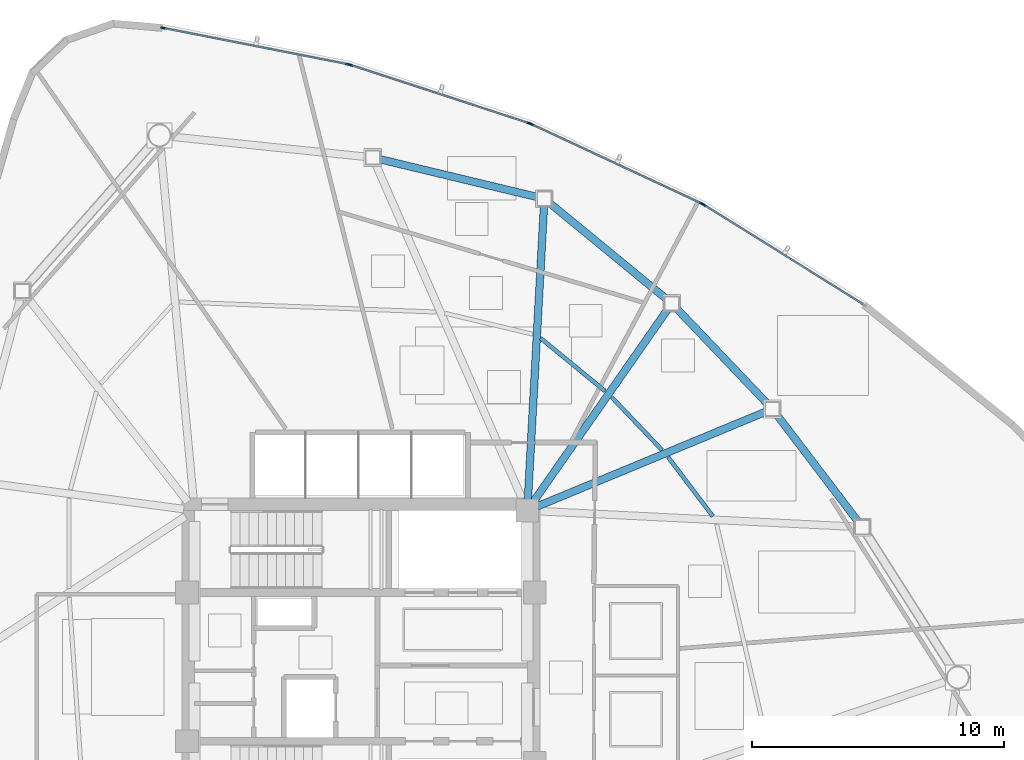
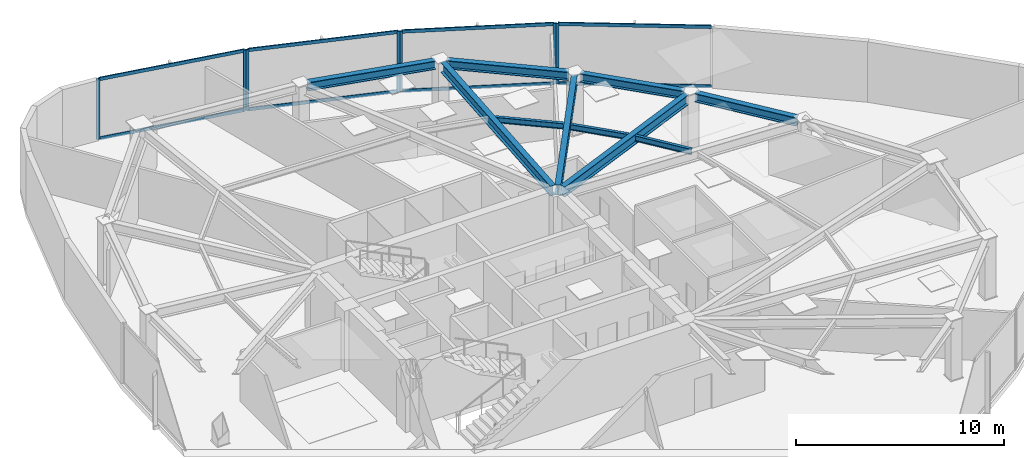
# One storey, part 8 of 17: 15 members, 10 beams, 4 elements without a shape of their own.
"""IFC4 building model written with IfcOpenShell, lengths in metres."""

from ifc_helpers import new_model, si_unit, direction, frame, origin, origin_2d, place, context, subcontext, project, spatial, hollow_rectangle, i_section, extrude, source, transform, mapped, material, layer, layer_set, material_profile, profile_set, type_object, type_shapes, element, aggregate, save


model = new_model("IFC4")

# Units and contexts
model_context = context("Model", 3, precision=1e-05, world=origin(), true_north=direction((0.0, 1.0)))
body_context = subcontext(model_context, "Body", "Model", "MODEL_VIEW")
ifc_project = project(units=[si_unit("LENGTHUNIT", "METRE"), si_unit("AREAUNIT", "SQUARE_METRE"), si_unit("VOLUMEUNIT", "CUBIC_METRE"), si_unit("PLANEANGLEUNIT", "RADIAN"), si_unit("MASSUNIT", "GRAM", prefix="KILO")], contexts=[model_context])

# Site, building, storey
site_placement = place(None, origin())
site = spatial("IfcSite", under=ifc_project, at=site_placement, CompositionType="ELEMENT")
building_placement = place(site_placement, origin())
building = spatial("IfcBuilding", under=site, at=building_placement, Name="Tavelor Broadcast Tower", CompositionType="ELEMENT")
storey_placement = place(building_placement, frame((0.0, 0.0, 165.64990234375)))
storey = spatial("IfcBuildingStorey", under=building, at=storey_placement, Name="L39", CompositionType="ELEMENT", Elevation=165.64990234375)

# Beams
ifc_material_1 = material(Name="Steel S355", Category="steel")
ifc_material_profile_1 = material_profile(ifc_material_1, i_section(OverallWidth=0.159912109375, OverallDepth=0.330078125, WebThickness=0.007568359375, FlangeThickness=0.011474609375, at=origin_2d()), Name="IPE 330")
ifc_profile_set_1 = profile_set([ifc_material_profile_1], Name="Steel S355")
beam_type_1 = type_object("IfcBeamType", Name="Composite Floor Joist T4 IPE 330", PredefinedType="JOIST", material=ifc_profile_set_1)
beam_1_placement = place(storey_placement, frame((63.959716796875, 50.9755859375, 3.385009765625), z_axis=(-0.604116162247, 0.796896268351, 0.0), x_axis=(-0.796896268351, -0.604116162247, 0.0)))
element("IfcBeam", 1, at=beam_1_placement, inside=storey, type_object=beam_type_1, Name="L39 Secondary Composite Floor Joist 14", PredefinedType="JOIST", context=body_context, shape_type="SweptSolid", body=[
    extrude(i_section(OverallWidth=0.159912109375, OverallDepth=0.330078125, WebThickness=0.007568359375, FlangeThickness=0.011474609375, at=origin_2d()), origin(), (0.0, 0.0, 1.0), 2.94580078125),
])
beam_2_placement = place(storey_placement, frame((61.946044921875, 53.59814453125, 3.385009765625), z_axis=(-0.689642531817, 0.724149969487, 0.0), x_axis=(-0.724149969487, -0.689642531817, 0.0)))
element("IfcBeam", 2, at=beam_2_placement, inside=storey, type_object=beam_type_1, Name="L39 Secondary Composite Floor Joist 15", PredefinedType="JOIST", context=body_context, shape_type="SweptSolid", body=[
    extrude(i_section(OverallWidth=0.159912109375, OverallDepth=0.330078125, WebThickness=0.007568359375, FlangeThickness=0.011474609375, at=origin_2d()), origin(), (0.0, 0.0, 1.0), 2.893798828125),
])
beam_3_placement = place(storey_placement, frame((59.685791015625, 55.939453125, 3.385009765625), z_axis=(-0.773655391446, 0.633606609251, 0.0), x_axis=(-0.633606609251, -0.773655391446, 0.0)))
element("IfcBeam", 3, at=beam_3_placement, inside=storey, type_object=beam_type_1, Name="L39 Secondary Composite Floor Joist 16", PredefinedType="JOIST", context=body_context, shape_type="SweptSolid", body=[
    extrude(i_section(OverallWidth=0.159912109375, OverallDepth=0.330078125, WebThickness=0.007568359375, FlangeThickness=0.011474609375, at=origin_2d()), origin(), (0.0, 0.0, 1.0), 3.315673828125),
])
ifc_material_profile_2 = material_profile(ifc_material_1, i_section(OverallWidth=0.300048828125, OverallDepth=0.5, WebThickness=0.014404296875, FlangeThickness=0.028076171875, at=origin_2d()), Name="HEB 500")
ifc_profile_set_2 = profile_set([ifc_material_profile_2], Name="Steel S355")
beam_type_2 = type_object("IfcBeamType", Name="Perimeter Spandrel Beam T4 HEB 500", PredefinedType="SPANDREL", material=ifc_profile_set_2)
beam_4_placement = place(storey_placement, frame((69.711669921875, 50.7734375, 3.300048828125), z_axis=(-0.605502841959, 0.795843143075, 0.0), x_axis=(-0.795843143075, -0.605502841959, 0.0)))
element("IfcBeam", 4, at=beam_4_placement, inside=storey, type_object=beam_type_2, Name="L39 Framed-Tube Ring Spandrel 14", PredefinedType="SPANDREL", context=body_context, shape_type="SweptSolid", body=[
    extrude(i_section(OverallWidth=0.300048828125, OverallDepth=0.5, WebThickness=0.014404296875, FlangeThickness=0.028076171875, at=origin_2d()), origin(), (0.0, 0.0, 1.0), 5.310302734375),
])
beam_5_placement = place(storey_placement, frame((66.123291015625, 55.437255859375, 3.300048828125), z_axis=(-0.689936010055, 0.723870362723, 0.0), x_axis=(-0.723870362723, -0.689936010055, 0.0)))
element("IfcBeam", 5, at=beam_5_placement, inside=storey, type_object=beam_type_2, Name="L39 Framed-Tube Ring Spandrel 15", PredefinedType="SPANDREL", context=body_context, shape_type="SweptSolid", body=[
    extrude(i_section(OverallWidth=0.300048828125, OverallDepth=0.5, WebThickness=0.014404296875, FlangeThickness=0.028076171875, at=origin_2d()), origin(), (0.0, 0.0, 1.0), 5.208740234375),
])
beam_6_placement = place(storey_placement, frame((62.1083984375, 59.59912109375, 3.300048828125), z_axis=(-0.772717651191, 0.634749896839, 0.0), x_axis=(-0.634749896839, -0.772717651191, 0.0)))
element("IfcBeam", 6, at=beam_6_placement, inside=storey, type_object=beam_type_2, Name="L39 Framed-Tube Ring Spandrel 16", PredefinedType="SPANDREL", context=body_context, shape_type="SweptSolid", body=[
    extrude(i_section(OverallWidth=0.300048828125, OverallDepth=0.5, WebThickness=0.014404296875, FlangeThickness=0.028076171875, at=origin_2d()), origin(), (0.0, 0.0, 1.0), 5.965087890625),
])
beam_7_placement = place(storey_placement, frame((56.99658203125, 63.635498046875, 3.300048828125), z_axis=(-0.972354853411, 0.233508113452, 0.0), x_axis=(-0.233508113452, -0.972354853411, 0.0)))
element("IfcBeam", 7, at=beam_7_placement, inside=storey, type_object=beam_type_2, Name="L39 Framed-Tube Ring Spandrel 17", PredefinedType="SPANDREL", context=body_context, shape_type="SweptSolid", body=[
    extrude(i_section(OverallWidth=0.300048828125, OverallDepth=0.5, WebThickness=0.014404296875, FlangeThickness=0.028076171875, at=origin_2d()), origin(), (0.0, 0.0, 1.0), 6.421630859375),
])
ifc_material_profile_3 = material_profile(ifc_material_1, i_section(OverallWidth=0.300048828125, OverallDepth=0.590087890625, WebThickness=0.012939453125, FlangeThickness=0.02490234375, at=origin_2d()), Name="HEA 600")
ifc_profile_set_3 = profile_set([ifc_material_profile_3], Name="Steel S355")
beam_type_3 = type_object("IfcBeamType", Name="Radial Floor Girder T4 HEA 600", PredefinedType="BEAM", material=ifc_profile_set_3)
beam_8_placement = place(storey_placement, frame((56.9990234375, 51.365478515625, 3.255126953125), z_axis=(0.923827405628, 0.38280925356, 0.0), x_axis=(-0.38280925356, 0.923827405628, 0.0)))
element("IfcBeam", 8, at=beam_8_placement, inside=storey, type_object=beam_type_3, Name="L39 Radial Primary Floor Girder 15", PredefinedType="BEAM", context=body_context, shape_type="SweptSolid", body=[
    extrude(i_section(OverallWidth=0.300048828125, OverallDepth=0.590087890625, WebThickness=0.012939453125, FlangeThickness=0.02490234375, at=origin_2d()), origin(), (0.0, 0.0, 1.0), 9.8037109375),
])
beam_9_placement = place(storey_placement, frame((56.84716796875, 51.55419921875, 3.255126953125), z_axis=(0.572078083908, 0.820199162346, 0.0), x_axis=(-0.820199162346, 0.572078083908, 0.0)))
element("IfcBeam", 9, at=beam_9_placement, inside=storey, type_object=beam_type_3, Name="L39 Radial Primary Floor Girder 16", PredefinedType="BEAM", context=body_context, shape_type="SweptSolid", body=[
    extrude(i_section(OverallWidth=0.300048828125, OverallDepth=0.590087890625, WebThickness=0.012939453125, FlangeThickness=0.02490234375, at=origin_2d()), origin(), (0.0, 0.0, 1.0), 9.29736328125),
])
beam_10_placement = place(storey_placement, frame((56.62353515625, 51.63134765625, 3.255126953125), z_axis=(0.054637852805, 0.998506236856, 0.0), x_axis=(-0.998506236856, 0.054637852805, 0.0)))
element("IfcBeam", 10, at=beam_10_placement, inside=storey, type_object=beam_type_3, Name="L39 Radial Primary Floor Girder 17", PredefinedType="BEAM", context=body_context, shape_type="SweptSolid", body=[
    extrude(i_section(OverallWidth=0.300048828125, OverallDepth=0.590087890625, WebThickness=0.012939453125, FlangeThickness=0.02490234375, at=origin_2d()), origin(), (0.0, 0.0, 1.0), 11.666748046875),
])

# Curtain wall, member
ifc_material_2 = material(Name="Architectural Anodized Aluminium", Category="aluminium")
ifc_layer = layer(ifc_material_2, 0.18994140625)
ifc_layer_set = layer_set([ifc_layer], Name="Architectural Anodized Aluminium")
curtain_wall_type = type_object("IfcCurtainWallType", Name="Tower Mid-Zone Acoustic Curtain Wall CW03", PredefinedType="NOTDEFINED", material=ifc_layer_set)
curtain_wall_1_placement = place(storey_placement, origin())
curtain_wall_1 = element("IfcCurtainWall", 11, at=curtain_wall_1_placement, inside=storey, type_object=curtain_wall_type, Name="L39 Curtain Wall CW03 Run 417", PredefinedType="NOTDEFINED")
ifc_material_profile_4 = material_profile(ifc_material_2, hollow_rectangle(XDim=0.068115234375, YDim=0.18994140625, WallThickness=0.02197265625, at=origin_2d()), Name="RHS 68x190x22")
ifc_profile_set_4 = profile_set([ifc_material_profile_4], Name="Architectural Anodized Aluminium")
member_type_1 = type_object("IfcMemberType", Name="CW03 Extruded Aluminium Mullion 68x190", PredefinedType="MULLION", material=ifc_profile_set_4)
shared_shape_1 = source(origin(), body_context, "Body", "SweptSolid", [
    extrude(hollow_rectangle(XDim=0.068115234375, YDim=0.18994140625, WallThickness=0.02197265625, at=origin_2d()), origin(), (0.0, 0.0, 1.0), 3.550048828125),
])
type_shapes(member_type_1, [shared_shape_1])
member_1_placement = place(storey_placement, frame((63.6044921875, 63.323486328125, 0.0), z_axis=(0.0, 0.0, 1.0), x_axis=(-0.529551832502, -0.848277582336, 0.0)))
member_1 = element("IfcMember", 12, at=member_1_placement, type_object=member_type_1, Name="CW03 mullion 2", PredefinedType="MULLION", context=body_context, shape_type="MappedRepresentation", body=[
    mapped(shared_shape_1, transform((0.0, 0.0, 0.0), scale=1.0)),
])

# Curtain wall, members
curtain_wall_2_placement = place(storey_placement, origin())
curtain_wall_2 = element("IfcCurtainWall", 13, at=curtain_wall_2_placement, inside=storey, type_object=curtain_wall_type, Name="L39 Curtain Wall CW03 Run 418", PredefinedType="NOTDEFINED")
member_2_placement = place(storey_placement, frame((63.5185546875, 63.370361328125, 0.0), z_axis=(0.0, 0.0, 1.0), x_axis=(-0.42301567944, -0.906122362017, 0.0)))
member_2 = element("IfcMember", 14, at=member_2_placement, type_object=member_type_1, Name="CW03 mullion 1", PredefinedType="MULLION", context=body_context, shape_type="MappedRepresentation", body=[
    mapped(shared_shape_1, transform((0.0, 0.0, 0.0), scale=1.0)),
])
member_3_placement = place(storey_placement, frame((56.761474609375, 66.52490234375, 0.0), z_axis=(0.0, 0.0, 1.0), x_axis=(-0.42301567944, -0.906122362017, 0.0)))
member_3 = element("IfcMember", 15, at=member_3_placement, type_object=member_type_1, Name="CW03 mullion 2", PredefinedType="MULLION", context=body_context, shape_type="MappedRepresentation", body=[
    mapped(shared_shape_1, transform((0.0, 0.0, 0.0), scale=1.0)),
])

curtain_wall_3_placement = place(storey_placement, origin())
curtain_wall_3 = element("IfcCurtainWall", 16, at=curtain_wall_3_placement, inside=storey, type_object=curtain_wall_type, Name="L39 Curtain Wall CW03 Run 419", PredefinedType="NOTDEFINED")
member_4_placement = place(storey_placement, frame((56.67041015625, 66.560791015625, 0.0), z_axis=(0.0, 0.0, 1.0), x_axis=(-0.31024959118, -0.950655137877, 0.0)))
member_4 = element("IfcMember", 17, at=member_4_placement, type_object=member_type_1, Name="CW03 mullion 1", PredefinedType="MULLION", context=body_context, shape_type="MappedRepresentation", body=[
    mapped(shared_shape_1, transform((0.0, 0.0, 0.0), scale=1.0)),
])
member_5_placement = place(storey_placement, frame((49.5810546875, 68.874267578125, 0.0), z_axis=(0.0, 0.0, 1.0), x_axis=(-0.31024959118, -0.950655137877, 0.0)))
member_5 = element("IfcMember", 18, at=member_5_placement, type_object=member_type_1, Name="CW03 mullion 2", PredefinedType="MULLION", context=body_context, shape_type="MappedRepresentation", body=[
    mapped(shared_shape_1, transform((0.0, 0.0, 0.0), scale=1.0)),
])

curtain_wall_4_placement = place(storey_placement, origin())
curtain_wall_4 = element("IfcCurtainWall", 19, at=curtain_wall_4_placement, inside=storey, type_object=curtain_wall_type, Name="L39 Curtain Wall CW03 Run 420", PredefinedType="NOTDEFINED")
member_6_placement = place(storey_placement, frame((49.486328125, 68.899169921875, 0.0), z_axis=(0.0, 0.0, 1.0), x_axis=(-0.192927471172, -0.981213020127, 0.0)))
member_6 = element("IfcMember", 20, at=member_6_placement, type_object=member_type_1, Name="CW03 mullion 1", PredefinedType="MULLION", context=body_context, shape_type="MappedRepresentation", body=[
    mapped(shared_shape_1, transform((0.0, 0.0, 0.0), scale=1.0)),
])
member_7_placement = place(storey_placement, frame((42.153564453125, 70.3408203125, 0.0), z_axis=(0.0, 0.0, 1.0), x_axis=(-0.192927471172, -0.981213020127, 0.0)))
member_7 = element("IfcMember", 21, at=member_7_placement, type_object=member_type_1, Name="CW03 mullion 2", PredefinedType="MULLION", context=body_context, shape_type="MappedRepresentation", body=[
    mapped(shared_shape_1, transform((0.0, 0.0, 0.0), scale=1.0)),
])

# Member
ifc_material_profile_5 = material_profile(ifc_material_2, hollow_rectangle(XDim=0.068115234375, YDim=0.18994140625, WallThickness=0.02197265625, at=origin_2d()), Name="RHS 68x190x22")
ifc_profile_set_5 = profile_set([ifc_material_profile_5], Name="Architectural Anodized Aluminium")
member_type_2 = type_object("IfcMemberType", Name="CW03 Extruded Aluminium Transom 68x190", PredefinedType="USERDEFINED", material=ifc_profile_set_5)
shared_shape_2 = source(origin(), body_context, "Body", "SweptSolid", [
    extrude(hollow_rectangle(XDim=0.068115234375, YDim=0.18994140625, WallThickness=0.02197265625, at=origin_2d()), origin(), (0.0, 0.0, 1.0), 7.38916015625),
])
member_8_placement = place(storey_placement, frame((63.48779296875, 63.384765625, 0.0341796875), z_axis=(-0.906124044885, 0.423012074628, 0.0), x_axis=(-0.423012074628, -0.906124044885, 0.0)))
member_8 = element("IfcMember", 22, at=member_8_placement, type_object=member_type_2, Name="CW03 transom 1.1", ObjectType="TRANSOM", PredefinedType="USERDEFINED", context=body_context, shape_type="MappedRepresentation", body=[
    mapped(shared_shape_2, transform((0.0, 0.0, 0.0), scale=1.0)),
])

member_9_placement = place(storey_placement, frame((63.48779296875, 63.384765625, 3.51611328125), z_axis=(-0.906124044885, 0.423012074628, 0.0), x_axis=(-0.423012074628, -0.906124044885, 0.0)))
member_9 = element("IfcMember", 23, at=member_9_placement, type_object=member_type_2, Name="CW03 transom 1.2", ObjectType="TRANSOM", PredefinedType="USERDEFINED", context=body_context, shape_type="MappedRepresentation", body=[
    mapped(shared_shape_2, transform((0.0, 0.0, 0.0), scale=1.0)),
])

aggregate(curtain_wall_2, [member_2, member_3, member_8, member_9])

shared_shape_3 = source(origin(), body_context, "Body", "SweptSolid", [
    extrude(hollow_rectangle(XDim=0.068115234375, YDim=0.18994140625, WallThickness=0.02197265625, at=origin_2d()), origin(), (0.0, 0.0, 1.0), 7.404541015625),
])
member_10_placement = place(storey_placement, frame((69.914306640625, 59.384521484375, 0.0341796875), z_axis=(-0.848270488891, 0.529563195168, 0.0), x_axis=(-0.529563195168, -0.848270488891, 0.0)))
member_10 = element("IfcMember", 24, at=member_10_placement, type_object=member_type_2, Name="CW03 transom 1.1", ObjectType="TRANSOM", PredefinedType="USERDEFINED", context=body_context, shape_type="MappedRepresentation", body=[
    mapped(shared_shape_3, transform((0.0, 0.0, 0.0), scale=1.0)),
])

member_11_placement = place(storey_placement, frame((69.914306640625, 59.384521484375, 3.51611328125), z_axis=(-0.848270488891, 0.529563195168, 0.0), x_axis=(-0.529563195168, -0.848270488891, 0.0)))
member_11 = element("IfcMember", 25, at=member_11_placement, type_object=member_type_2, Name="CW03 transom 1.2", ObjectType="TRANSOM", PredefinedType="USERDEFINED", context=body_context, shape_type="MappedRepresentation", body=[
    mapped(shared_shape_3, transform((0.0, 0.0, 0.0), scale=1.0)),
])

aggregate(curtain_wall_1, [member_1, member_10, member_11])

shared_shape_4 = source(origin(), body_context, "Body", "SweptSolid", [
    extrude(hollow_rectangle(XDim=0.068115234375, YDim=0.18994140625, WallThickness=0.02197265625, at=origin_2d()), origin(), (0.0, 0.0, 1.0), 7.388916015625),
])
member_12_placement = place(storey_placement, frame((56.637939453125, 66.5712890625, 0.0341796875), z_axis=(-0.950653595026, 0.310254318688, 0.0), x_axis=(-0.310254318688, -0.950653595026, 0.0)))
member_12 = element("IfcMember", 26, at=member_12_placement, type_object=member_type_2, Name="CW03 transom 1.1", ObjectType="TRANSOM", PredefinedType="USERDEFINED", context=body_context, shape_type="MappedRepresentation", body=[
    mapped(shared_shape_4, transform((0.0, 0.0, 0.0), scale=1.0)),
])

member_13_placement = place(storey_placement, frame((56.637939453125, 66.5712890625, 3.51611328125), z_axis=(-0.950653595026, 0.310254318688, 0.0), x_axis=(-0.310254318688, -0.950653595026, 0.0)))
member_13 = element("IfcMember", 27, at=member_13_placement, type_object=member_type_2, Name="CW03 transom 1.2", ObjectType="TRANSOM", PredefinedType="USERDEFINED", context=body_context, shape_type="MappedRepresentation", body=[
    mapped(shared_shape_4, transform((0.0, 0.0, 0.0), scale=1.0)),
])

aggregate(curtain_wall_3, [member_4, member_5, member_12, member_13])

shared_shape_5 = source(origin(), body_context, "Body", "SweptSolid", [
    extrude(hollow_rectangle(XDim=0.068115234375, YDim=0.18994140625, WallThickness=0.02197265625, at=origin_2d()), origin(), (0.0, 0.0, 1.0), 7.4052734375),
])
type_shapes(member_type_2, [shared_shape_2, shared_shape_3, shared_shape_4, shared_shape_5])
member_14_placement = place(storey_placement, frame((49.453125, 68.905517578125, 0.0341796875), z_axis=(-0.98121205842, 0.19293236227, 0.0), x_axis=(-0.19293236227, -0.98121205842, 0.0)))
member_14 = element("IfcMember", 28, at=member_14_placement, type_object=member_type_2, Name="CW03 transom 1.1", ObjectType="TRANSOM", PredefinedType="USERDEFINED", context=body_context, shape_type="MappedRepresentation", body=[
    mapped(shared_shape_5, transform((0.0, 0.0, 0.0), scale=1.0)),
])

member_15_placement = place(storey_placement, frame((49.453125, 68.905517578125, 3.51611328125), z_axis=(-0.98121205842, 0.19293236227, 0.0), x_axis=(-0.19293236227, -0.98121205842, 0.0)))
member_15 = element("IfcMember", 29, at=member_15_placement, type_object=member_type_2, Name="CW03 transom 1.2", ObjectType="TRANSOM", PredefinedType="USERDEFINED", context=body_context, shape_type="MappedRepresentation", body=[
    mapped(shared_shape_5, transform((0.0, 0.0, 0.0), scale=1.0)),
])

aggregate(curtain_wall_4, [member_6, member_7, member_14, member_15])

save(model, "model.ifc")
